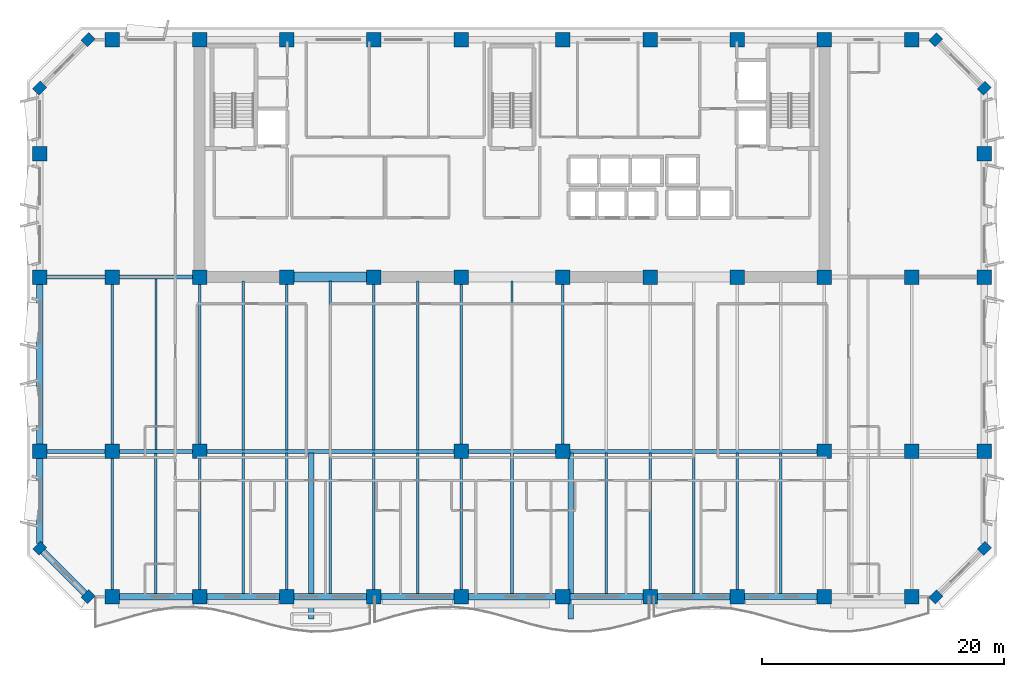
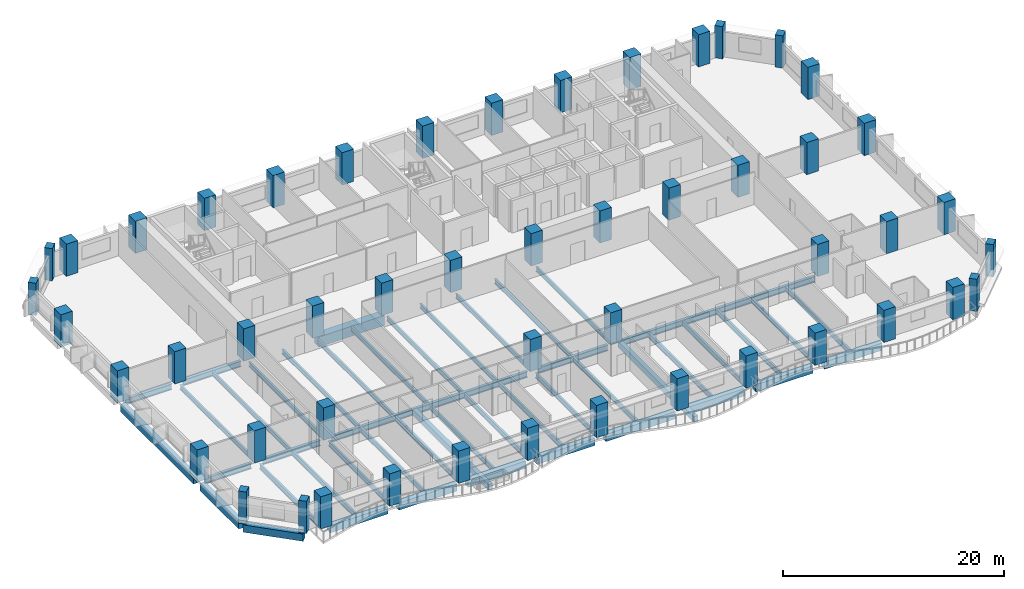
# One storey, part 1 of 15: 50 columns, 47 beams.
"""IFC4 building model written with IfcOpenShell, lengths in metres."""

import ifcopenshell
import ifcopenshell.guid

model = None  # the IFC model being written
_history = None  # IfcOwnerHistory: only IFC2X3 demands one
_inside = {}  # id of a spatial element -> (the spatial element, [elements in it])
_under = {}  # id of a project, library or spatial element -> (it, [spatial elements below it])
_declared = {}  # id of a project -> (the project, [libraries it declares])
_typed = {}  # id of a type object -> (the type object, [elements of that type])
_made_of = {}  # id of a material, layer set ... -> (it, [elements and type objects made of it])


def new_model(schema):
    """Start an empty IFC model of exactly this schema.

    Asked for "IFC4X3", IfcOpenShell would pick the latest addendum, in which some entities
    have other attributes; the version numbers below select the first issue.
    IFC2X3 requires an IfcOwnerHistory on every rooted entity: one is made here for all.
    """
    global model, _history
    if schema == "IFC4X3":
        model = ifcopenshell.file(schema_version=(4, 3, 0, 0))
    else:
        model = ifcopenshell.file(schema=schema)
    _inside.clear()
    _under.clear()
    _declared.clear()
    _typed.clear()
    _made_of.clear()
    _history = None
    if model.schema == "IFC2X3":
        org = make("IfcOrganization", Name="unknown")
        user = make(
            "IfcPersonAndOrganization",
            ThePerson=make("IfcPerson", FamilyName="unknown"),
            TheOrganization=org,
        )
        app = make(
            "IfcApplication",
            ApplicationDeveloper=org,
            Version="unknown",
            ApplicationFullName="unknown",
            ApplicationIdentifier="unknown",
        )
        _history = make(
            "IfcOwnerHistory",
            OwningUser=user,
            OwningApplication=app,
            ChangeAction="ADDED",
            CreationDate=0,
        )
    return model


def make(cls, **values):
    """One entity of the class cls with the attributes given. An attribute that is None is left unset."""
    return model.create_entity(
        cls, **{name: value for name, value in values.items() if value is not None}
    )


def rooted(cls, **values):
    """An entity with a GlobalId (a new one), such as an element, a storey or a relation."""
    return make(cls, GlobalId=ifcopenshell.guid.new(), OwnerHistory=_history, **values)


def si_unit(unit_type, name, prefix=None):
    """IfcSIUnit, for example si_unit("LENGTHUNIT", "METRE", prefix="MILLI")."""
    return make("IfcSIUnit", UnitType=unit_type, Prefix=prefix, Name=name)


def assignment(units):
    """IfcUnitAssignment: the units of a project."""
    return None if units is None else make("IfcUnitAssignment", Units=units)


def point(xyz):
    """IfcCartesianPoint."""
    return None if xyz is None else make("IfcCartesianPoint", Coordinates=xyz)


def direction(xyz):
    """IfcDirection."""
    return None if xyz is None else make("IfcDirection", DirectionRatios=xyz)


def frame(location, z_axis=None, x_axis=None):
    """IfcAxis2Placement3D, a coordinate frame: its origin and axes. An axis left out is left unset."""
    return make(
        "IfcAxis2Placement3D",
        Location=point(location),
        Axis=direction(z_axis),
        RefDirection=direction(x_axis),
    )


def frame_2d(location, x_axis=None):
    """IfcAxis2Placement2D, a coordinate frame in the plane: its origin and x axis."""
    return make(
        "IfcAxis2Placement2D", Location=point(location), RefDirection=direction(x_axis)
    )


def origin():
    """The frame at (0, 0, 0) with its axes left unset."""
    return frame((0.0, 0.0, 0.0))


def origin_2d():
    """The frame at (0, 0) in the plane with its x axis left unset."""
    return frame_2d((0.0, 0.0))


def place(relative_to, where):
    """IfcLocalPlacement: puts the frame where relative to a parent placement (None: the world)."""
    return make(
        "IfcLocalPlacement", PlacementRelTo=relative_to, RelativePlacement=where
    )


def context(
    kind, dimensions, precision=None, world=None, true_north=None, identifier=None
):
    """IfcGeometricRepresentationContext, for example the 3D "Model" context."""
    return make(
        "IfcGeometricRepresentationContext",
        ContextIdentifier=identifier,
        ContextType=kind,
        CoordinateSpaceDimension=dimensions,
        Precision=precision,
        WorldCoordinateSystem=world,
        TrueNorth=true_north,
    )


def subcontext(parent, identifier, kind, view, scale=None):
    """IfcGeometricRepresentationSubContext, for example "Body" below "Model"."""
    return make(
        "IfcGeometricRepresentationSubContext",
        ContextIdentifier=identifier,
        ContextType=kind,
        ParentContext=parent,
        TargetScale=scale,
        TargetView=view,
    )


def project(units=None, contexts=None):
    """IfcProject with its units and contexts."""
    return rooted(
        "IfcProject",
        Name="project",
        RepresentationContexts=contexts,
        UnitsInContext=assignment(units),
    )


def spatial(cls, under=None, at=None, **own):
    """A site, building, storey or space (cls), placed at a placement, below another one or the project."""
    s = rooted(cls, ObjectPlacement=at, **own)
    if under is not None:
        _under.setdefault(under.id(), (under, []))[1].append(s)
    return s


def profile(cls, at=None, kind="AREA", **sizes):
    """A parametric profile (cls). Its sizes go by their IFC names, for example OverallWidth=200.0."""
    return make(cls, ProfileType=kind, Position=at, **sizes)


def rectangle(**sizes):
    """IfcRectangleProfileDef."""
    return profile("IfcRectangleProfileDef", **sizes)


def i_section(**sizes):
    """IfcIShapeProfileDef."""
    return profile("IfcIShapeProfileDef", **sizes)


def extrude(swept, where, along, depth):
    """IfcExtrudedAreaSolid: the profile swept, set in the frame where, extruded along a direction by depth."""
    return make(
        "IfcExtrudedAreaSolid",
        SweptArea=swept,
        Position=where,
        ExtrudedDirection=direction(along),
        Depth=depth,
    )


def shape(context_of_items, identifier, shape_type, items):
    """IfcShapeRepresentation: the items that make up one representation, for example the "Body"."""
    return make(
        "IfcShapeRepresentation",
        ContextOfItems=context_of_items,
        RepresentationIdentifier=identifier,
        RepresentationType=shape_type,
        Items=items,
    )


def material(Name=None, Category=None):
    """IfcMaterial."""
    return make("IfcMaterial", Name=Name, Category=Category)


def material_profile(
    of_material, cross_section, Name=None, Category=None, Priority=None
):
    """IfcMaterialProfile: a cross section and its material."""
    return make(
        "IfcMaterialProfile",
        Name=Name,
        Material=of_material,
        Profile=cross_section,
        Priority=Priority,
        Category=Category,
    )


def profile_set(profiles, Name=None, composite=None):
    """IfcMaterialProfileSet."""
    return make(
        "IfcMaterialProfileSet",
        Name=Name,
        MaterialProfiles=profiles,
        CompositeProfile=composite,
    )


def made_of(thing, what):
    """Note that an element or type object is made of a material, layer set ...; save() writes the relation."""
    if what is not None:
        _made_of.setdefault(what.id(), (what, []))[1].append(thing)
    return thing


def type_object(cls, material=None, **own):
    """A type object (cls), such as IfcWallType, which elements share."""
    return made_of(rooted(cls, **own), material)


def element(
    cls,
    number,
    at=None,
    inside=None,
    cuts=None,
    type_object=None,
    material=None,
    context=None,
    identifier="Body",
    shape_type=None,
    held_by="IfcProductDefinitionShape",
    body=None,
    shapes=None,
    **own,
):
    """One element of the class cls, such as IfcWall. Its Tag is "e" and its number.

    at: its placement. inside: the storey or other place that contains it. cuts: it is an
    opening in that element (IfcRelVoidsElement). A single representation is given by context,
    identifier, shape_type and body (its items); several are given by shapes. held_by: the class
    of the entity that holds the representations. save() writes the other relations.
    """
    e = rooted(cls, Tag="e%d" % number, ObjectPlacement=at, **own)
    if body is not None:
        shapes = [shape(context, identifier, shape_type, body)]
    if shapes is not None:
        e.Representation = make(held_by, Representations=shapes)
    if inside is not None:
        _inside.setdefault(inside.id(), (inside, []))[1].append(e)
    if cuts is not None:
        rooted(
            "IfcRelVoidsElement", RelatingBuildingElement=cuts, RelatedOpeningElement=e
        )
    if type_object is not None:
        _typed.setdefault(type_object.id(), (type_object, []))[1].append(e)
    return made_of(e, material)


def aggregate(whole, parts):
    """IfcRelAggregates: a whole, such as a stair, and the parts it consists of."""
    return rooted("IfcRelAggregates", RelatingObject=whole, RelatedObjects=parts)


def save(model, path):
    """Write the relations noted so far, then the file.

    IfcRelAggregates (storeys below a building ...), IfcRelContainedInSpatialStructure (elements
    in a storey), IfcRelDefinesByType, IfcRelAssociatesMaterial and IfcRelDeclares: one each for
    every whole, place, type object, material and project.
    """
    for whole, parts in _under.values():
        aggregate(whole, parts)
    for where, things in _inside.values():
        rooted(
            "IfcRelContainedInSpatialStructure",
            RelatedElements=things,
            RelatingStructure=where,
        )
    for kind, things in _typed.values():
        rooted("IfcRelDefinesByType", RelatedObjects=things, RelatingType=kind)
    for what, things in _made_of.values():
        rooted("IfcRelAssociatesMaterial", RelatedObjects=things, RelatingMaterial=what)
    for by, libraries in _declared.values():
        rooted("IfcRelDeclares", RelatingContext=by, RelatedDefinitions=libraries)
    model.write(path)


model = new_model("IFC4")

# Units and contexts
model_context = context("Model", 3, precision=1e-05, world=origin(), true_north=direction((0.0, 1.0)))
body_context = subcontext(model_context, "Body", "Model", "MODEL_VIEW")
ifc_project = project(units=[si_unit("LENGTHUNIT", "METRE"), si_unit("AREAUNIT", "SQUARE_METRE"), si_unit("VOLUMEUNIT", "CUBIC_METRE"), si_unit("PLANEANGLEUNIT", "RADIAN"), si_unit("MASSUNIT", "GRAM", prefix="KILO")], contexts=[model_context])

# Site, building, storey
site_placement = place(None, origin())
site = spatial("IfcSite", under=ifc_project, at=site_placement, CompositionType="ELEMENT")
building_placement = place(site_placement, origin())
building = spatial("IfcBuilding", under=site, at=building_placement, Name="Kaelvorn Grand Hotel", CompositionType="ELEMENT")
storey_placement = place(building_placement, frame((0.0, 0.0, 150.550048828125)))
storey = spatial("IfcBuildingStorey", under=building, at=storey_placement, Name="L36", CompositionType="ELEMENT", Elevation=150.550048828125)

# Columns
ifc_material_1 = material(Name="Concrete C60/75", Category="concrete")
ifc_material_profile_1 = material_profile(ifc_material_1, rectangle(XDim=0.89990234375, YDim=0.75, at=origin_2d()), Name="RC PILASTER 900x750")
ifc_profile_set_1 = profile_set([ifc_material_profile_1], Name="Concrete C60/75")
column_type_1 = type_object("IfcColumnType", Name="COL-PIL-900x750-C60", PredefinedType="PILASTER", material=ifc_profile_set_1)
for number, where, z_axis, x_axis, name in (
    (1, (7.0, 3.0, 0.0), (0.0, 0.0, 1.0), (0.707106781187, 0.707106781187, 0.0), "L36 Structural Column CH-01"),
    (2, (77.0, 3.0, 0.0), (0.0, 0.0, 1.0), (0.707106781187, 0.707106781187, 0.0), "L36 Structural Column CH-02"),
    (3, (81.0, 7.0, 0.0), (0.0, 0.0, 1.0), (0.707106781187, 0.707106781187, 0.0), "L36 Structural Column CH-03"),
    (4, (81.0, 45.0, 0.0), (0.0, 0.0, 1.0), (0.707106781187, 0.707106781187, 0.0), "L36 Structural Column CH-04"),
    (5, (77.0, 49.0, 0.0), (0.0, 0.0, 1.0), (0.707106781187, 0.707106781187, 0.0), "L36 Structural Column CH-05"),
    (6, (7.0, 49.0, 0.0), (0.0, 0.0, 1.0), (0.707106781187, 0.707106781187, 0.0), "L36 Structural Column CH-06"),
    (7, (3.0, 45.0, 0.0), (0.0, 0.0, 1.0), (0.707106781187, 0.707106781187, 0.0), "L36 Structural Column CH-07"),
    (8, (3.0, 7.0, 0.0), (0.0, 0.0, 1.0), (0.707106781187, 0.707106781187, 0.0), "L36 Structural Column CH-08"),
):
    element("IfcColumn", number, at=place(storey_placement, frame(where, z_axis=z_axis, x_axis=x_axis)), inside=storey, type_object=column_type_1, Name=name, PredefinedType="PILASTER", context=body_context, shape_type="SweptSolid", body=[
        extrude(rectangle(XDim=0.89990234375, YDim=0.75, at=origin_2d()), origin(), (0.0, 0.0, 1.0), 3.56005859375),
    ])
ifc_material_profile_2 = material_profile(ifc_material_1, rectangle(XDim=1.199951171875, YDim=1.199951171875, at=origin_2d()), Name="RC COL 1200x1200")
ifc_profile_set_2 = profile_set([ifc_material_profile_2], Name="Concrete C60/75")
column_type_2 = type_object("IfcColumnType", Name="COL-RC-1200-C60", PredefinedType="COLUMN", material=ifc_profile_set_2)
for number, where, z_axis, x_axis, name in (
    (9, (9.0, 3.0, 0.0), (0.0, 0.0, 1.0), (1.0, 0.0, 0.0), "L36 Structural Column S-01"),
    (10, (16.199951171875, 3.0, 0.0), (0.0, 0.0, 1.0), (1.0, 0.0, 0.0), "L36 Structural Column S-02"),
    (11, (23.39990234375, 3.0, 0.0), (0.0, 0.0, 1.0), (1.0, 0.0, 0.0), "L36 Structural Column S-03"),
    (12, (30.60009765625, 3.0, 0.0), (0.0, 0.0, 1.0), (1.0, 0.0, 0.0), "L36 Structural Column S-04"),
    (13, (37.800048828125, 3.0, 0.0), (0.0, 0.0, 1.0), (1.0, 0.0, 0.0), "L36 Structural Column S-05"),
    (14, (46.199951171875, 3.0, 0.0), (0.0, 0.0, 1.0), (1.0, 0.0, 0.0), "L36 Structural Column S-06"),
    (15, (53.39990234375, 3.0, 0.0), (0.0, 0.0, 1.0), (1.0, 0.0, 0.0), "L36 Structural Column S-07"),
    (16, (60.60009765625, 3.0, 0.0), (0.0, 0.0, 1.0), (1.0, 0.0, 0.0), "L36 Structural Column S-08"),
    (17, (67.800048828125, 3.0, 0.0), (0.0, 0.0, 1.0), (1.0, 0.0, 0.0), "L36 Structural Column S-09"),
    (18, (75.0, 3.0, 0.0), (0.0, 0.0, 1.0), (1.0, 0.0, 0.0), "L36 Structural Column S-10"),
    (19, (3.0, 15.0, 0.0), (0.0, 0.0, 1.0), (1.0, 0.0, 0.0), "L36 Structural Column W-01"),
    (20, (81.0, 15.0, 0.0), (0.0, 0.0, 1.0), (1.0, 0.0, 0.0), "L36 Structural Column E-01"),
    (21, (3.0, 29.39990234375, 0.0), (0.0, 0.0, 1.0), (1.0, 0.0, 0.0), "L36 Structural Column W-02"),
    (22, (81.0, 29.39990234375, 0.0), (0.0, 0.0, 1.0), (1.0, 0.0, 0.0), "L36 Structural Column E-02"),
    (23, (3.0, 39.60009765625, 0.0), (0.0, 0.0, 1.0), (1.0, 0.0, 0.0), "L36 Structural Column W-03"),
    (24, (81.0, 39.60009765625, 0.0), (0.0, 0.0, 1.0), (1.0, 0.0, 0.0), "L36 Structural Column E-03"),
    (25, (9.0, 15.0, 0.0), (0.0, 0.0, 1.0), (1.0, 0.0, 0.0), "L36 Structural Column M-01"),
    (26, (16.199951171875, 15.0, 0.0), (0.0, 0.0, 1.0), (1.0, 0.0, 0.0), "L36 Structural Column M-02"),
    (27, (37.800048828125, 15.0, 0.0), (0.0, 0.0, 1.0), (1.0, 0.0, 0.0), "L36 Structural Column M-03"),
    (28, (46.199951171875, 15.0, 0.0), (0.0, 0.0, 1.0), (1.0, 0.0, 0.0), "L36 Structural Column M-04"),
    (29, (67.800048828125, 15.0, 0.0), (0.0, 0.0, 1.0), (1.0, 0.0, 0.0), "L36 Structural Column M-05"),
    (30, (75.0, 15.0, 0.0), (0.0, 0.0, 1.0), (1.0, 0.0, 0.0), "L36 Structural Column M-06"),
    (31, (9.0, 29.39990234375, 0.0), (0.0, 0.0, 1.0), (1.0, 0.0, 0.0), "L36 Structural Column CR1-01"),
    (32, (9.0, 49.0, 0.0), (0.0, 0.0, 1.0), (1.0, 0.0, 0.0), "L36 Structural Column CR2-01"),
    (33, (16.199951171875, 29.39990234375, 0.0), (0.0, 0.0, 1.0), (1.0, 0.0, 0.0), "L36 Structural Column CR1-02"),
    (34, (16.199951171875, 49.0, 0.0), (0.0, 0.0, 1.0), (1.0, 0.0, 0.0), "L36 Structural Column CR2-02"),
    (35, (23.39990234375, 29.39990234375, 0.0), (0.0, 0.0, 1.0), (1.0, 0.0, 0.0), "L36 Structural Column CR1-03"),
    (36, (23.39990234375, 49.0, 0.0), (0.0, 0.0, 1.0), (1.0, 0.0, 0.0), "L36 Structural Column CR2-03"),
    (37, (30.60009765625, 29.39990234375, 0.0), (0.0, 0.0, 1.0), (1.0, 0.0, 0.0), "L36 Structural Column CR1-04"),
    (38, (30.60009765625, 49.0, 0.0), (0.0, 0.0, 1.0), (1.0, 0.0, 0.0), "L36 Structural Column CR2-04"),
    (39, (37.800048828125, 29.39990234375, 0.0), (0.0, 0.0, 1.0), (1.0, 0.0, 0.0), "L36 Structural Column CR1-05"),
    (40, (37.800048828125, 49.0, 0.0), (0.0, 0.0, 1.0), (1.0, 0.0, 0.0), "L36 Structural Column CR2-05"),
    (41, (46.199951171875, 29.39990234375, 0.0), (0.0, 0.0, 1.0), (1.0, 0.0, 0.0), "L36 Structural Column CR1-06"),
    (42, (46.199951171875, 49.0, 0.0), (0.0, 0.0, 1.0), (1.0, 0.0, 0.0), "L36 Structural Column CR2-06"),
    (43, (53.39990234375, 29.39990234375, 0.0), (0.0, 0.0, 1.0), (1.0, 0.0, 0.0), "L36 Structural Column CR1-07"),
    (44, (53.39990234375, 49.0, 0.0), (0.0, 0.0, 1.0), (1.0, 0.0, 0.0), "L36 Structural Column CR2-07"),
    (45, (60.60009765625, 29.39990234375, 0.0), (0.0, 0.0, 1.0), (1.0, 0.0, 0.0), "L36 Structural Column CR1-08"),
    (46, (60.60009765625, 49.0, 0.0), (0.0, 0.0, 1.0), (1.0, 0.0, 0.0), "L36 Structural Column CR2-08"),
    (47, (67.800048828125, 29.39990234375, 0.0), (0.0, 0.0, 1.0), (1.0, 0.0, 0.0), "L36 Structural Column CR1-09"),
    (48, (67.800048828125, 49.0, 0.0), (0.0, 0.0, 1.0), (1.0, 0.0, 0.0), "L36 Structural Column CR2-09"),
    (49, (75.0, 29.39990234375, 0.0), (0.0, 0.0, 1.0), (1.0, 0.0, 0.0), "L36 Structural Column CR1-10"),
    (50, (75.0, 49.0, 0.0), (0.0, 0.0, 1.0), (1.0, 0.0, 0.0), "L36 Structural Column CR2-10"),
):
    element("IfcColumn", number, at=place(storey_placement, frame(where, z_axis=z_axis, x_axis=x_axis)), inside=storey, type_object=column_type_2, Name=name, PredefinedType="COLUMN", context=body_context, shape_type="SweptSolid", body=[
        extrude(rectangle(XDim=1.199951171875, YDim=1.199951171875, at=origin_2d()), origin(), (0.0, 0.0, 1.0), 3.56005859375),
    ])

# Beams
ifc_material_2 = material(Name="Steel S355", Category="steel")
ifc_material_profile_3 = material_profile(ifc_material_2, i_section(OverallWidth=0.300048828125, OverallDepth=0.64990234375, WebThickness=0.01611328125, FlangeThickness=0.031005859375, FilletRadius=0.027099609375, at=origin_2d()), Name="HEB 650")
ifc_profile_set_3 = profile_set([ifc_material_profile_3], Name="Steel S355")
beam_type_1 = type_object("IfcBeamType", Name="BM-G-HEB650-S355", PredefinedType="BEAM", material=ifc_profile_set_3)
beam_1_placement = place(storey_placement, frame((3.5849609375, 15.0, -0.56494140625), z_axis=(1.0, 0.0, 0.0), x_axis=(0.0, 1.0, 0.0)))
element("IfcBeam", 51, at=beam_1_placement, inside=storey, type_object=beam_type_1, Name="L36 Primary Spine Steel Girder G-15 01", PredefinedType="BEAM", context=body_context, shape_type="SweptSolid", body=[
    extrude(i_section(OverallWidth=0.300048828125, OverallDepth=0.64990234375, WebThickness=0.01611328125, FlangeThickness=0.031005859375, FilletRadius=0.027099609375, at=origin_2d()), origin(), (0.0, 0.0, 1.0), 4.830078125),
])
beam_2_placement = place(storey_placement, frame((9.5849609375, 15.0, -0.56494140625), z_axis=(1.0, 0.0, 0.0), x_axis=(0.0, 1.0, 0.0)))
element("IfcBeam", 52, at=beam_2_placement, inside=storey, type_object=beam_type_1, Name="L36 Primary Spine Steel Girder G-15 02", PredefinedType="BEAM", context=body_context, shape_type="SweptSolid", body=[
    extrude(i_section(OverallWidth=0.300048828125, OverallDepth=0.64990234375, WebThickness=0.01611328125, FlangeThickness=0.031005859375, FilletRadius=0.027099609375, at=origin_2d()), origin(), (0.0, 0.0, 1.0), 6.030029296875),
])
beam_3_placement = place(storey_placement, frame((16.784912109375, 15.0, -0.56494140625), z_axis=(1.0, 0.0, 0.0), x_axis=(0.0, 1.0, 0.0)))
element("IfcBeam", 53, at=beam_3_placement, inside=storey, type_object=beam_type_1, Name="L36 Primary Spine Steel Girder G-15 03", PredefinedType="BEAM", context=body_context, shape_type="SweptSolid", body=[
    extrude(i_section(OverallWidth=0.300048828125, OverallDepth=0.64990234375, WebThickness=0.01611328125, FlangeThickness=0.031005859375, FilletRadius=0.027099609375, at=origin_2d()), origin(), (0.0, 0.0, 1.0), 20.43017578125),
])
beam_4_placement = place(storey_placement, frame((38.385009765625, 15.0, -0.56494140625), z_axis=(1.0, 0.0, 0.0), x_axis=(0.0, 1.0, 0.0)))
element("IfcBeam", 54, at=beam_4_placement, inside=storey, type_object=beam_type_1, Name="L36 Primary Spine Steel Girder G-15 04", PredefinedType="BEAM", context=body_context, shape_type="SweptSolid", body=[
    extrude(i_section(OverallWidth=0.300048828125, OverallDepth=0.64990234375, WebThickness=0.01611328125, FlangeThickness=0.031005859375, FilletRadius=0.027099609375, at=origin_2d()), origin(), (0.0, 0.0, 1.0), 7.22998046875),
])
beam_5_placement = place(storey_placement, frame((46.784912109375, 15.0, -0.56494140625), z_axis=(1.0, 0.0, 0.0), x_axis=(0.0, 1.0, 0.0)))
element("IfcBeam", 55, at=beam_5_placement, inside=storey, type_object=beam_type_1, Name="L36 Primary Spine Steel Girder G-15 05", PredefinedType="BEAM", context=body_context, shape_type="SweptSolid", body=[
    extrude(i_section(OverallWidth=0.300048828125, OverallDepth=0.64990234375, WebThickness=0.01611328125, FlangeThickness=0.031005859375, FilletRadius=0.027099609375, at=origin_2d()), origin(), (0.0, 0.0, 1.0), 20.43017578125),
])
beam_6_placement = place(storey_placement, frame((3.5849609375, 29.39990234375, -0.56494140625), z_axis=(1.0, 0.0, 0.0), x_axis=(0.0, 1.0, 0.0)))
element("IfcBeam", 56, at=beam_6_placement, inside=storey, type_object=beam_type_1, Name="L36 West Core Wing Steel Girder G-29W 01", PredefinedType="BEAM", context=body_context, shape_type="SweptSolid", body=[
    extrude(i_section(OverallWidth=0.300048828125, OverallDepth=0.64990234375, WebThickness=0.01611328125, FlangeThickness=0.031005859375, FilletRadius=0.027099609375, at=origin_2d()), origin(), (0.0, 0.0, 1.0), 4.830078125),
])
beam_7_placement = place(storey_placement, frame((9.5849609375, 29.39990234375, -0.56494140625), z_axis=(1.0, 0.0, 0.0), x_axis=(0.0, 1.0, 0.0)))
element("IfcBeam", 57, at=beam_7_placement, inside=storey, type_object=beam_type_1, Name="L36 West Core Wing Steel Girder G-29W 02", PredefinedType="BEAM", context=body_context, shape_type="SweptSolid", body=[
    extrude(i_section(OverallWidth=0.300048828125, OverallDepth=0.64990234375, WebThickness=0.01611328125, FlangeThickness=0.031005859375, FilletRadius=0.027099609375, at=origin_2d()), origin(), (0.0, 0.0, 1.0), 6.030029296875),
])
ifc_material_profile_4 = material_profile(ifc_material_2, i_section(OverallWidth=0.199951171875, OverallDepth=0.5, WebThickness=0.01025390625, FlangeThickness=0.01611328125, FilletRadius=0.02099609375, at=origin_2d()), Name="IPE 500")
ifc_profile_set_4 = profile_set([ifc_material_profile_4], Name="Steel S355")
beam_type_2 = type_object("IfcBeamType", Name="BM-J-IPE500-S355", PredefinedType="JOIST", material=ifc_profile_set_4)
beam_8_placement = place(storey_placement, frame((9.0, 15.5849609375, -0.489990234375), z_axis=(0.0, 1.0, 0.0), x_axis=(-1.0, 0.0, 0.0)))
element("IfcBeam", 58, at=beam_8_placement, inside=storey, type_object=beam_type_2, Name="L36 Composite Floor Joist JM-03", PredefinedType="JOIST", context=body_context, shape_type="SweptSolid", body=[
    extrude(i_section(OverallWidth=0.199951171875, OverallDepth=0.5, WebThickness=0.01025390625, FlangeThickness=0.01611328125, FilletRadius=0.02099609375, at=origin_2d()), origin(), (0.0, 0.0, 1.0), 13.22998046875),
])
beam_9_placement = place(storey_placement, frame((12.60009765625, 15.135009765625, -0.489990234375), z_axis=(0.0, 1.0, 0.0), x_axis=(-1.0, 0.0, 0.0)))
element("IfcBeam", 59, at=beam_9_placement, inside=storey, type_object=beam_type_2, Name="L36 Composite Floor Joist JM-04", PredefinedType="JOIST", context=body_context, shape_type="SweptSolid", body=[
    extrude(i_section(OverallWidth=0.199951171875, OverallDepth=0.5, WebThickness=0.01025390625, FlangeThickness=0.01611328125, FilletRadius=0.02099609375, at=origin_2d()), origin(), (0.0, 0.0, 1.0), 14.1298828125),
])
beam_10_placement = place(storey_placement, frame((16.199951171875, 15.5849609375, -0.489990234375), z_axis=(0.0, 1.0, 0.0), x_axis=(-1.0, 0.0, 0.0)))
element("IfcBeam", 60, at=beam_10_placement, inside=storey, type_object=beam_type_2, Name="L36 Composite Floor Joist JM-05", PredefinedType="JOIST", context=body_context, shape_type="SweptSolid", body=[
    extrude(i_section(OverallWidth=0.199951171875, OverallDepth=0.5, WebThickness=0.01025390625, FlangeThickness=0.01611328125, FilletRadius=0.02099609375, at=origin_2d()), origin(), (0.0, 0.0, 1.0), 13.22998046875),
])
beam_11_placement = place(storey_placement, frame((19.800048828125, 15.135009765625, -0.489990234375), z_axis=(0.0, 1.0, 0.0), x_axis=(-1.0, 0.0, 0.0)))
element("IfcBeam", 61, at=beam_11_placement, inside=storey, type_object=beam_type_2, Name="L36 Composite Floor Joist JM-06", PredefinedType="JOIST", context=body_context, shape_type="SweptSolid", body=[
    extrude(i_section(OverallWidth=0.199951171875, OverallDepth=0.5, WebThickness=0.01025390625, FlangeThickness=0.01611328125, FilletRadius=0.02099609375, at=origin_2d()), origin(), (0.0, 0.0, 1.0), 13.925048828125),
])
beam_12_placement = place(storey_placement, frame((23.39990234375, 15.135009765625, -0.489990234375), z_axis=(0.0, 1.0, 0.0), x_axis=(-1.0, 0.0, 0.0)))
element("IfcBeam", 62, at=beam_12_placement, inside=storey, type_object=beam_type_2, Name="L36 Composite Floor Joist JM-07", PredefinedType="JOIST", context=body_context, shape_type="SweptSolid", body=[
    extrude(i_section(OverallWidth=0.199951171875, OverallDepth=0.5, WebThickness=0.01025390625, FlangeThickness=0.01611328125, FilletRadius=0.02099609375, at=origin_2d()), origin(), (0.0, 0.0, 1.0), 13.679931640625),
])
beam_13_placement = place(storey_placement, frame((27.0, 15.135009765625, -0.489990234375), z_axis=(0.0, 1.0, 0.0), x_axis=(-1.0, 0.0, 0.0)))
element("IfcBeam", 63, at=beam_13_placement, inside=storey, type_object=beam_type_2, Name="L36 Composite Floor Joist JM-08", PredefinedType="JOIST", context=body_context, shape_type="SweptSolid", body=[
    extrude(i_section(OverallWidth=0.199951171875, OverallDepth=0.5, WebThickness=0.01025390625, FlangeThickness=0.01611328125, FilletRadius=0.02099609375, at=origin_2d()), origin(), (0.0, 0.0, 1.0), 13.925048828125),
])
beam_14_placement = place(storey_placement, frame((30.60009765625, 15.135009765625, -0.489990234375), z_axis=(0.0, 1.0, 0.0), x_axis=(-1.0, 0.0, 0.0)))
element("IfcBeam", 64, at=beam_14_placement, inside=storey, type_object=beam_type_2, Name="L36 Composite Floor Joist JM-09", PredefinedType="JOIST", context=body_context, shape_type="SweptSolid", body=[
    extrude(i_section(OverallWidth=0.199951171875, OverallDepth=0.5, WebThickness=0.01025390625, FlangeThickness=0.01611328125, FilletRadius=0.02099609375, at=origin_2d()), origin(), (0.0, 0.0, 1.0), 13.679931640625),
])
beam_15_placement = place(storey_placement, frame((34.199951171875, 15.135009765625, -0.489990234375), z_axis=(0.0, 1.0, 0.0), x_axis=(-1.0, 0.0, 0.0)))
element("IfcBeam", 65, at=beam_15_placement, inside=storey, type_object=beam_type_2, Name="L36 Composite Floor Joist JM-10", PredefinedType="JOIST", context=body_context, shape_type="SweptSolid", body=[
    extrude(i_section(OverallWidth=0.199951171875, OverallDepth=0.5, WebThickness=0.01025390625, FlangeThickness=0.01611328125, FilletRadius=0.02099609375, at=origin_2d()), origin(), (0.0, 0.0, 1.0), 13.925048828125),
])
beam_16_placement = place(storey_placement, frame((37.800048828125, 15.5849609375, -0.489990234375), z_axis=(0.0, 1.0, 0.0), x_axis=(-1.0, 0.0, 0.0)))
element("IfcBeam", 66, at=beam_16_placement, inside=storey, type_object=beam_type_2, Name="L36 Composite Floor Joist JM-11", PredefinedType="JOIST", context=body_context, shape_type="SweptSolid", body=[
    extrude(i_section(OverallWidth=0.199951171875, OverallDepth=0.5, WebThickness=0.01025390625, FlangeThickness=0.01611328125, FilletRadius=0.02099609375, at=origin_2d()), origin(), (0.0, 0.0, 1.0), 13.22998046875),
])
beam_17_placement = place(storey_placement, frame((42.0, 15.135009765625, -0.489990234375), z_axis=(0.0, 1.0, 0.0), x_axis=(-1.0, 0.0, 0.0)))
element("IfcBeam", 67, at=beam_17_placement, inside=storey, type_object=beam_type_2, Name="L36 Composite Floor Joist JM-12", PredefinedType="JOIST", context=body_context, shape_type="SweptSolid", body=[
    extrude(i_section(OverallWidth=0.199951171875, OverallDepth=0.5, WebThickness=0.01025390625, FlangeThickness=0.01611328125, FilletRadius=0.02099609375, at=origin_2d()), origin(), (0.0, 0.0, 1.0), 13.925048828125),
])
beam_18_placement = place(storey_placement, frame((46.199951171875, 15.5849609375, -0.489990234375), z_axis=(0.0, 1.0, 0.0), x_axis=(-1.0, 0.0, 0.0)))
element("IfcBeam", 68, at=beam_18_placement, inside=storey, type_object=beam_type_2, Name="L36 Composite Floor Joist JM-13", PredefinedType="JOIST", context=body_context, shape_type="SweptSolid", body=[
    extrude(i_section(OverallWidth=0.199951171875, OverallDepth=0.5, WebThickness=0.01025390625, FlangeThickness=0.01611328125, FilletRadius=0.02099609375, at=origin_2d()), origin(), (0.0, 0.0, 1.0), 13.22998046875),
])
ifc_material_profile_5 = material_profile(ifc_material_2, i_section(OverallWidth=0.2099609375, OverallDepth=0.550048828125, WebThickness=0.010986328125, FlangeThickness=0.01708984375, FilletRadius=0.02392578125, at=origin_2d()), Name="IPE 550")
ifc_profile_set_5 = profile_set([ifc_material_profile_5], Name="Steel S355")
beam_type_3 = type_object("IfcBeamType", Name="BM-J-IPE550-S355", PredefinedType="JOIST", material=ifc_profile_set_5)
beam_19_placement = place(storey_placement, frame((9.0, 3.5849609375, -0.51513671875), z_axis=(0.0, 1.0, 0.0), x_axis=(-1.0, 0.0, 0.0)))
element("IfcBeam", 69, at=beam_19_placement, inside=storey, type_object=beam_type_3, Name="L36 Composite Floor Joist JS-03", PredefinedType="JOIST", context=body_context, shape_type="SweptSolid", body=[
    extrude(i_section(OverallWidth=0.2099609375, OverallDepth=0.550048828125, WebThickness=0.010986328125, FlangeThickness=0.01708984375, FilletRadius=0.02392578125, at=origin_2d()), origin(), (0.0, 0.0, 1.0), 10.830078125),
])
beam_20_placement = place(storey_placement, frame((12.60009765625, 3.260009765625, -0.51513671875), z_axis=(0.0, 1.0, 0.0), x_axis=(-1.0, 0.0, 0.0)))
element("IfcBeam", 70, at=beam_20_placement, inside=storey, type_object=beam_type_3, Name="L36 Composite Floor Joist JS-04", PredefinedType="JOIST", context=body_context, shape_type="SweptSolid", body=[
    extrude(i_section(OverallWidth=0.2099609375, OverallDepth=0.550048828125, WebThickness=0.010986328125, FlangeThickness=0.01708984375, FilletRadius=0.02392578125, at=origin_2d()), origin(), (0.0, 0.0, 1.0), 11.60498046875),
])
beam_21_placement = place(storey_placement, frame((16.199951171875, 3.5849609375, -0.51513671875), z_axis=(0.0, 1.0, 0.0), x_axis=(-1.0, 0.0, 0.0)))
element("IfcBeam", 71, at=beam_21_placement, inside=storey, type_object=beam_type_3, Name="L36 Composite Floor Joist JS-05", PredefinedType="JOIST", context=body_context, shape_type="SweptSolid", body=[
    extrude(i_section(OverallWidth=0.2099609375, OverallDepth=0.550048828125, WebThickness=0.010986328125, FlangeThickness=0.01708984375, FilletRadius=0.02392578125, at=origin_2d()), origin(), (0.0, 0.0, 1.0), 10.830078125),
])
beam_22_placement = place(storey_placement, frame((19.800048828125, 3.260009765625, -0.51513671875), z_axis=(0.0, 1.0, 0.0), x_axis=(-1.0, 0.0, 0.0)))
element("IfcBeam", 72, at=beam_22_placement, inside=storey, type_object=beam_type_3, Name="L36 Composite Floor Joist JS-06", PredefinedType="JOIST", context=body_context, shape_type="SweptSolid", body=[
    extrude(i_section(OverallWidth=0.2099609375, OverallDepth=0.550048828125, WebThickness=0.010986328125, FlangeThickness=0.01708984375, FilletRadius=0.02392578125, at=origin_2d()), origin(), (0.0, 0.0, 1.0), 11.60498046875),
])
beam_23_placement = place(storey_placement, frame((23.39990234375, 3.5849609375, -0.51513671875), z_axis=(0.0, 1.0, 0.0), x_axis=(-1.0, 0.0, 0.0)))
element("IfcBeam", 73, at=beam_23_placement, inside=storey, type_object=beam_type_3, Name="L36 Composite Floor Joist JS-07", PredefinedType="JOIST", context=body_context, shape_type="SweptSolid", body=[
    extrude(i_section(OverallWidth=0.2099609375, OverallDepth=0.550048828125, WebThickness=0.010986328125, FlangeThickness=0.01708984375, FilletRadius=0.02392578125, at=origin_2d()), origin(), (0.0, 0.0, 1.0), 11.280029296875),
])
beam_24_placement = place(storey_placement, frame((27.0, 3.260009765625, -0.51513671875), z_axis=(0.0, 1.0, 0.0), x_axis=(-1.0, 0.0, 0.0)))
element("IfcBeam", 74, at=beam_24_placement, inside=storey, type_object=beam_type_3, Name="L36 Composite Floor Joist JS-08", PredefinedType="JOIST", context=body_context, shape_type="SweptSolid", body=[
    extrude(i_section(OverallWidth=0.2099609375, OverallDepth=0.550048828125, WebThickness=0.010986328125, FlangeThickness=0.01708984375, FilletRadius=0.02392578125, at=origin_2d()), origin(), (0.0, 0.0, 1.0), 11.60498046875),
])
beam_25_placement = place(storey_placement, frame((30.60009765625, 3.5849609375, -0.51513671875), z_axis=(0.0, 1.0, 0.0), x_axis=(-1.0, 0.0, 0.0)))
element("IfcBeam", 75, at=beam_25_placement, inside=storey, type_object=beam_type_3, Name="L36 Composite Floor Joist JS-09", PredefinedType="JOIST", context=body_context, shape_type="SweptSolid", body=[
    extrude(i_section(OverallWidth=0.2099609375, OverallDepth=0.550048828125, WebThickness=0.010986328125, FlangeThickness=0.01708984375, FilletRadius=0.02392578125, at=origin_2d()), origin(), (0.0, 0.0, 1.0), 11.280029296875),
])
beam_26_placement = place(storey_placement, frame((34.199951171875, 3.260009765625, -0.51513671875), z_axis=(0.0, 1.0, 0.0), x_axis=(-1.0, 0.0, 0.0)))
element("IfcBeam", 76, at=beam_26_placement, inside=storey, type_object=beam_type_3, Name="L36 Composite Floor Joist JS-10", PredefinedType="JOIST", context=body_context, shape_type="SweptSolid", body=[
    extrude(i_section(OverallWidth=0.2099609375, OverallDepth=0.550048828125, WebThickness=0.010986328125, FlangeThickness=0.01708984375, FilletRadius=0.02392578125, at=origin_2d()), origin(), (0.0, 0.0, 1.0), 11.60498046875),
])
beam_27_placement = place(storey_placement, frame((37.800048828125, 3.5849609375, -0.51513671875), z_axis=(0.0, 1.0, 0.0), x_axis=(-1.0, 0.0, 0.0)))
element("IfcBeam", 77, at=beam_27_placement, inside=storey, type_object=beam_type_3, Name="L36 Composite Floor Joist JS-11", PredefinedType="JOIST", context=body_context, shape_type="SweptSolid", body=[
    extrude(i_section(OverallWidth=0.2099609375, OverallDepth=0.550048828125, WebThickness=0.010986328125, FlangeThickness=0.01708984375, FilletRadius=0.02392578125, at=origin_2d()), origin(), (0.0, 0.0, 1.0), 10.830078125),
])
for number, where, z_axis, x_axis, name in (
    (78, (42.0, 3.260009765625, -0.51513671875), (0.0, 1.0, 0.0), (-1.0, 0.0, 0.0), "L36 Composite Floor Joist JS-12"),
    (79, (49.800048828125, 3.260009765625, -0.51513671875), (0.0, 1.0, 0.0), (-1.0, 0.0, 0.0), "L36 Composite Floor Joist JS-14"),
):
    element("IfcBeam", number, at=place(storey_placement, frame(where, z_axis=z_axis, x_axis=x_axis)), inside=storey, type_object=beam_type_3, Name=name, PredefinedType="JOIST", context=body_context, shape_type="SweptSolid", body=[
        extrude(i_section(OverallWidth=0.2099609375, OverallDepth=0.550048828125, WebThickness=0.010986328125, FlangeThickness=0.01708984375, FilletRadius=0.02392578125, at=origin_2d()), origin(), (0.0, 0.0, 1.0), 11.60498046875),
    ])
beam_28_placement = place(storey_placement, frame((53.39990234375, 3.5849609375, -0.51513671875), z_axis=(0.0, 1.0, 0.0), x_axis=(-1.0, 0.0, 0.0)))
element("IfcBeam", 80, at=beam_28_placement, inside=storey, type_object=beam_type_3, Name="L36 Composite Floor Joist JS-15", PredefinedType="JOIST", context=body_context, shape_type="SweptSolid", body=[
    extrude(i_section(OverallWidth=0.2099609375, OverallDepth=0.550048828125, WebThickness=0.010986328125, FlangeThickness=0.01708984375, FilletRadius=0.02392578125, at=origin_2d()), origin(), (0.0, 0.0, 1.0), 11.280029296875),
])
beam_29_placement = place(storey_placement, frame((57.0, 3.260009765625, -0.51513671875), z_axis=(0.0, 1.0, 0.0), x_axis=(-1.0, 0.0, 0.0)))
element("IfcBeam", 81, at=beam_29_placement, inside=storey, type_object=beam_type_3, Name="L36 Composite Floor Joist JS-16", PredefinedType="JOIST", context=body_context, shape_type="SweptSolid", body=[
    extrude(i_section(OverallWidth=0.2099609375, OverallDepth=0.550048828125, WebThickness=0.010986328125, FlangeThickness=0.01708984375, FilletRadius=0.02392578125, at=origin_2d()), origin(), (0.0, 0.0, 1.0), 11.60498046875),
])
beam_30_placement = place(storey_placement, frame((60.60009765625, 3.5849609375, -0.51513671875), z_axis=(0.0, 1.0, 0.0), x_axis=(-1.0, 0.0, 0.0)))
element("IfcBeam", 82, at=beam_30_placement, inside=storey, type_object=beam_type_3, Name="L36 Composite Floor Joist JS-17", PredefinedType="JOIST", context=body_context, shape_type="SweptSolid", body=[
    extrude(i_section(OverallWidth=0.2099609375, OverallDepth=0.550048828125, WebThickness=0.010986328125, FlangeThickness=0.01708984375, FilletRadius=0.02392578125, at=origin_2d()), origin(), (0.0, 0.0, 1.0), 11.280029296875),
])
beam_31_placement = place(storey_placement, frame((64.199951171875, 3.260009765625, -0.51513671875), z_axis=(0.0, 1.0, 0.0), x_axis=(-1.0, 0.0, 0.0)))
element("IfcBeam", 83, at=beam_31_placement, inside=storey, type_object=beam_type_3, Name="L36 Composite Floor Joist JS-18", PredefinedType="JOIST", context=body_context, shape_type="SweptSolid", body=[
    extrude(i_section(OverallWidth=0.2099609375, OverallDepth=0.550048828125, WebThickness=0.010986328125, FlangeThickness=0.01708984375, FilletRadius=0.02392578125, at=origin_2d()), origin(), (0.0, 0.0, 1.0), 11.60498046875),
])
ifc_material_profile_6 = material_profile(ifc_material_1, rectangle(XDim=0.800048828125, YDim=1.10009765625, at=origin_2d()), Name="RC LINTEL 800x1100")
ifc_profile_set_6 = profile_set([ifc_material_profile_6], Name="Concrete C60/75")
beam_type_4 = type_object("IfcBeamType", Name="BM-LIN-800x1100-C60", PredefinedType="LINTEL", material=ifc_profile_set_6)
beam_32_placement = place(storey_placement, frame((23.580078125, 29.39990234375, -0.7900390625), z_axis=(1.0, 0.0, 0.0), x_axis=(0.0, 1.0, 0.0)))
element("IfcBeam", 84, at=beam_32_placement, inside=storey, type_object=beam_type_4, Name="L36 Rear-Core Coupling Lintel Beam CB1-01", PredefinedType="LINTEL", context=body_context, shape_type="SweptSolid", body=[
    extrude(rectangle(XDim=0.800048828125, YDim=1.10009765625, at=origin_2d()), origin(), (0.0, 0.0, 1.0), 6.83984375),
])
ifc_material_3 = material(Name="Concrete C40/50", Category="concrete")
ifc_material_profile_7 = material_profile(ifc_material_3, rectangle(XDim=0.449951171875, YDim=0.64990234375, at=origin_2d()), Name="RC RIB 450x650")
ifc_profile_set_7 = profile_set([ifc_material_profile_7], Name="Concrete C40/50")
beam_type_5 = type_object("IfcBeamType", Name="BM-RIB-450x650-C40", PredefinedType="SPANDREL", material=ifc_profile_set_7)
for number, where, z_axis, x_axis, name in (
    (85, (25.409423828125, 1.14990234375, -0.545166015625), (0.0, 1.0, 0.0), (-1.0, 0.0, 0.0), "L36 Cantilevered Balcony Back-Span Rib RB1-1"),
    (86, (46.857177734375, 1.14990234375, -0.545166015625), (0.0, 1.0, 0.0), (-1.0, 0.0, 0.0), "L36 Cantilevered Balcony Back-Span Rib RB1-2"),
):
    element("IfcBeam", number, at=place(storey_placement, frame(where, z_axis=z_axis, x_axis=x_axis)), inside=storey, type_object=beam_type_5, Name=name, PredefinedType="SPANDREL", context=body_context, shape_type="SweptSolid", body=[
        extrude(rectangle(XDim=0.449951171875, YDim=0.64990234375, at=origin_2d()), origin(), (0.0, 0.0, 1.0), 13.715087890625),
    ])
ifc_material_4 = material(Name="Concrete C50/60", Category="concrete")
ifc_material_profile_8 = material_profile(ifc_material_4, rectangle(XDim=0.550048828125, YDim=0.800048828125, at=origin_2d()), Name="RC SPANDREL 550x800")
ifc_profile_set_8 = profile_set([ifc_material_profile_8], Name="Concrete C50/60")
beam_type_6 = type_object("IfcBeamType", Name="BM-SP-550x800-C50", PredefinedType="SPANDREL", material=ifc_profile_set_8)
for number, where, z_axis, x_axis, name in (
    (87, (9.5849609375, 3.0, -0.64013671875), (1.0, 0.0, 0.0), (0.0, 1.0, 0.0), "L36 South Perimeter Spandrel 02"),
    (88, (16.784912109375, 3.0, -0.64013671875), (1.0, 0.0, 0.0), (0.0, 1.0, 0.0), "L36 South Perimeter Spandrel 03"),
):
    element("IfcBeam", number, at=place(storey_placement, frame(where, z_axis=z_axis, x_axis=x_axis)), inside=storey, type_object=beam_type_6, Name=name, PredefinedType="SPANDREL", context=body_context, shape_type="SweptSolid", body=[
        extrude(rectangle(XDim=0.550048828125, YDim=0.800048828125, at=origin_2d()), origin(), (0.0, 0.0, 1.0), 6.030029296875),
    ])
beam_33_placement = place(storey_placement, frame((23.985107421875, 3.0, -0.64013671875), z_axis=(1.0, 0.0, 0.0), x_axis=(0.0, 1.0, 0.0)))
element("IfcBeam", 89, at=beam_33_placement, inside=storey, type_object=beam_type_6, Name="L36 South Perimeter Spandrel 04", PredefinedType="SPANDREL", context=body_context, shape_type="SweptSolid", body=[
    extrude(rectangle(XDim=0.550048828125, YDim=0.800048828125, at=origin_2d()), origin(), (0.0, 0.0, 1.0), 6.02978515625),
])
beam_34_placement = place(storey_placement, frame((31.18505859375, 3.0, -0.64013671875), z_axis=(1.0, 0.0, 0.0), x_axis=(0.0, 1.0, 0.0)))
element("IfcBeam", 90, at=beam_34_placement, inside=storey, type_object=beam_type_6, Name="L36 South Perimeter Spandrel 05", PredefinedType="SPANDREL", context=body_context, shape_type="SweptSolid", body=[
    extrude(rectangle(XDim=0.550048828125, YDim=0.800048828125, at=origin_2d()), origin(), (0.0, 0.0, 1.0), 6.030029296875),
])
beam_35_placement = place(storey_placement, frame((38.385009765625, 3.0, -0.64013671875), z_axis=(1.0, 0.0, 0.0), x_axis=(0.0, 1.0, 0.0)))
element("IfcBeam", 91, at=beam_35_placement, inside=storey, type_object=beam_type_6, Name="L36 South Perimeter Spandrel 06", PredefinedType="SPANDREL", context=body_context, shape_type="SweptSolid", body=[
    extrude(rectangle(XDim=0.550048828125, YDim=0.800048828125, at=origin_2d()), origin(), (0.0, 0.0, 1.0), 7.22998046875),
])
beam_36_placement = place(storey_placement, frame((46.784912109375, 3.0, -0.64013671875), z_axis=(1.0, 0.0, 0.0), x_axis=(0.0, 1.0, 0.0)))
element("IfcBeam", 92, at=beam_36_placement, inside=storey, type_object=beam_type_6, Name="L36 South Perimeter Spandrel 07", PredefinedType="SPANDREL", context=body_context, shape_type="SweptSolid", body=[
    extrude(rectangle(XDim=0.550048828125, YDim=0.800048828125, at=origin_2d()), origin(), (0.0, 0.0, 1.0), 6.030029296875),
])
beam_37_placement = place(storey_placement, frame((53.985107421875, 3.0, -0.64013671875), z_axis=(1.0, 0.0, 0.0), x_axis=(0.0, 1.0, 0.0)))
element("IfcBeam", 93, at=beam_37_placement, inside=storey, type_object=beam_type_6, Name="L36 South Perimeter Spandrel 08", PredefinedType="SPANDREL", context=body_context, shape_type="SweptSolid", body=[
    extrude(rectangle(XDim=0.550048828125, YDim=0.800048828125, at=origin_2d()), origin(), (0.0, 0.0, 1.0), 6.02978515625),
])
beam_38_placement = place(storey_placement, frame((61.18505859375, 3.0, -0.64013671875), z_axis=(1.0, 0.0, 0.0), x_axis=(0.0, 1.0, 0.0)))
element("IfcBeam", 94, at=beam_38_placement, inside=storey, type_object=beam_type_6, Name="L36 South Perimeter Spandrel 09", PredefinedType="SPANDREL", context=body_context, shape_type="SweptSolid", body=[
    extrude(rectangle(XDim=0.550048828125, YDim=0.800048828125, at=origin_2d()), origin(), (0.0, 0.0, 1.0), 6.030029296875),
])
beam_39_placement = place(storey_placement, frame((3.0, 7.405029296875, -0.64013671875), z_axis=(0.0, 1.0, 0.0), x_axis=(-1.0, 0.0, 0.0)))
element("IfcBeam", 95, at=beam_39_placement, inside=storey, type_object=beam_type_6, Name="L36 West Perimeter Spandrel 01", PredefinedType="SPANDREL", context=body_context, shape_type="SweptSolid", body=[
    extrude(rectangle(XDim=0.550048828125, YDim=0.800048828125, at=origin_2d()), origin(), (0.0, 0.0, 1.0), 7.010009765625),
])
beam_40_placement = place(storey_placement, frame((3.0, 15.5849609375, -0.64013671875), z_axis=(0.0, 1.0, 0.0), x_axis=(-1.0, 0.0, 0.0)))
element("IfcBeam", 96, at=beam_40_placement, inside=storey, type_object=beam_type_6, Name="L36 West Perimeter Spandrel 02", PredefinedType="SPANDREL", context=body_context, shape_type="SweptSolid", body=[
    extrude(rectangle(XDim=0.550048828125, YDim=0.800048828125, at=origin_2d()), origin(), (0.0, 0.0, 1.0), 13.22998046875),
])
beam_41_placement = place(storey_placement, frame((3.0, 7.0, -0.64013671875), z_axis=(0.707106781187, -0.707106781187, 0.0), x_axis=(0.707106781187, 0.707106781187, 0.0)))
element("IfcBeam", 97, at=beam_41_placement, inside=storey, type_object=beam_type_6, Name="L36 Chamfer Spandrel Beam 4", PredefinedType="SPANDREL", context=body_context, shape_type="SweptSolid", body=[
    extrude(rectangle(XDim=0.550048828125, YDim=0.800048828125, at=origin_2d()), origin(), (0.0, 0.0, 1.0), 5.65673828125),
])

save(model, "model.ifc")
